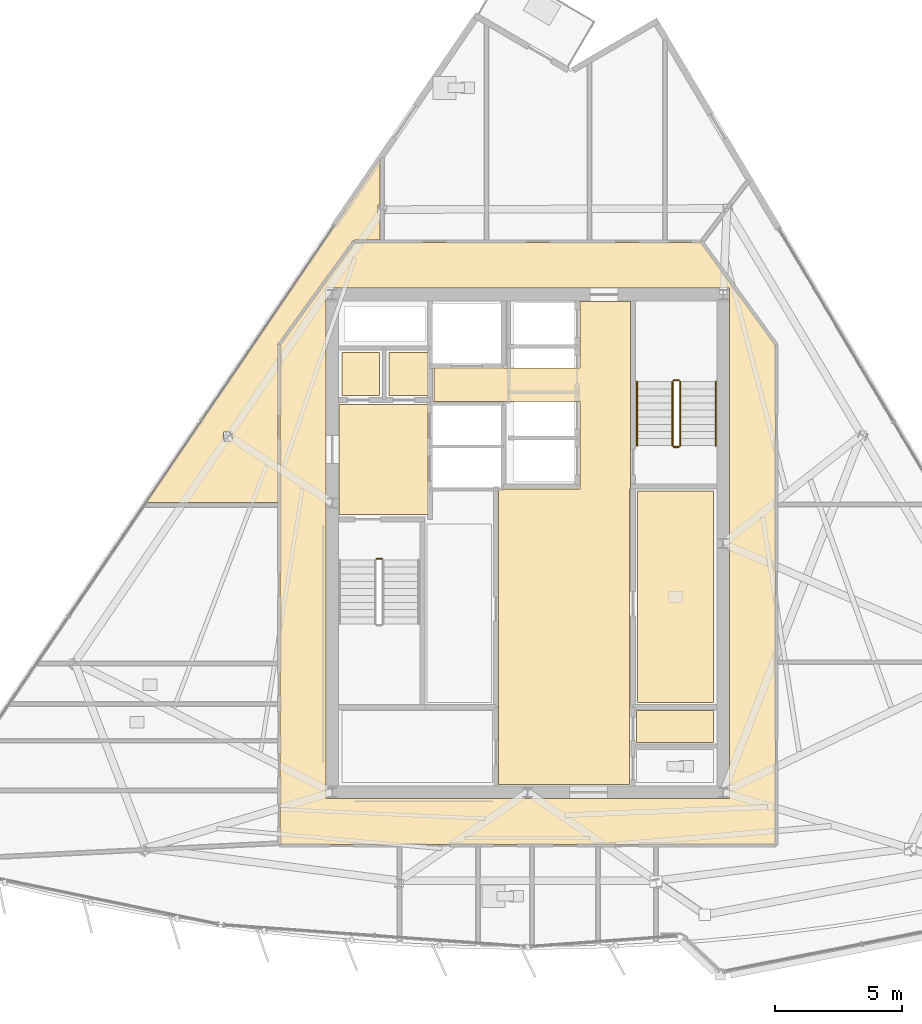
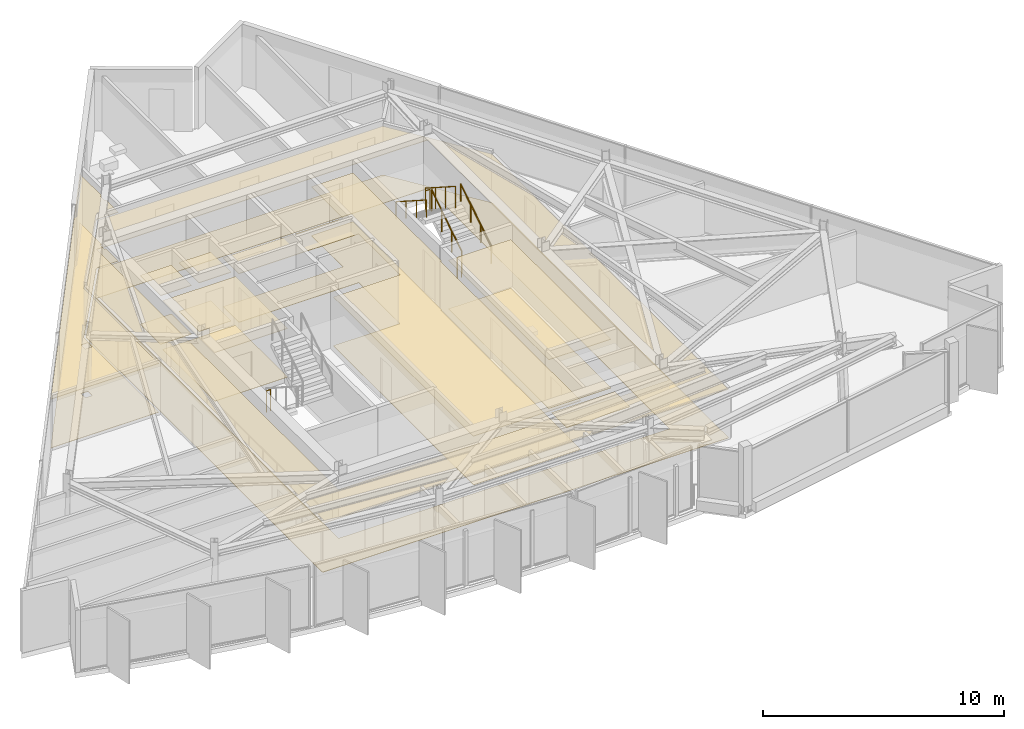
# One storey, part 11 of 13: 15 coverings, 7 railings.
"""IFC4 building model written with IfcOpenShell, lengths in metres."""

from ifc_helpers import new_model, si_unit, direction, frame, origin, origin_2d, place, context, subcontext, project, spatial, polyline, circle, outline, extrude, material, layer, layer_set, type_object, element, save


model = new_model("IFC4")

# Units and contexts
model_context = context("Model", 3, precision=1e-05, world=origin(), true_north=direction((0.0, 1.0)))
body_context = subcontext(model_context, "Body", "Model", "MODEL_VIEW")
ifc_project = project(units=[si_unit("LENGTHUNIT", "METRE"), si_unit("AREAUNIT", "SQUARE_METRE"), si_unit("VOLUMEUNIT", "CUBIC_METRE"), si_unit("PLANEANGLEUNIT", "RADIAN"), si_unit("MASSUNIT", "GRAM", prefix="KILO")], contexts=[model_context])

# Site, building, storey
site_placement = place(None, origin())
site = spatial("IfcSite", under=ifc_project, at=site_placement, CompositionType="ELEMENT")
building_placement = place(site_placement, origin())
building = spatial("IfcBuilding", under=site, at=building_placement, Name="Savorim Split Tower", CompositionType="ELEMENT")
storey_placement = place(building_placement, frame((0.0, 0.0, 290.39990234375)))
storey = spatial("IfcBuildingStorey", under=building, at=storey_placement, Name="L77", CompositionType="ELEMENT", Elevation=290.39990234375)

# Coverings
ifc_material_1 = material(Name="Mineral Fibre Acoustic Ceiling")
ifc_layer_1 = layer(ifc_material_1, 0.02490234375)
ifc_layer_set_1 = layer_set([ifc_layer_1], Name="COV-CEIL-25")
covering_type_1 = type_object("IfcCoveringType", Name="COV-CEIL-25", PredefinedType="CEILING", material=ifc_layer_set_1)
covering_1_placement = place(storey_placement, frame((0.0, 0.0, 2.47021484375)))
element("IfcCovering", 1, at=covering_1_placement, inside=storey, type_object=covering_type_1, Name="L77 Firefighting Lift Lobby Acoustic Ceiling", PredefinedType="CEILING", context=body_context, shape_type="SweptSolid", body=[
    extrude(outline(polyline([(-7.429931640625, 5.8701171875), (-7.429931640625, 1.530029296875), (-3.929931640625, 1.530029296875), (-3.929931640625, 5.8701171875), (-7.429931640625, 5.8701171875)])), origin(), (0.0, 0.0, 1.0), 0.02490234375),
])
covering_2_placement = place(storey_placement, frame((0.0, 0.0, 2.47021484375)))
element("IfcCovering", 2, at=covering_2_placement, inside=storey, type_object=covering_type_1, Name="L77 Electrical Riser Acoustic Ceiling", PredefinedType="CEILING", context=body_context, shape_type="SweptSolid", body=[
    extrude(outline(polyline([(-7.320068359375, 7.919921875), (-7.320068359375, 6.22998046875), (-5.830078125, 6.22998046875), (-5.830078125, 7.919921875), (-7.320068359375, 7.919921875)])), origin(), (0.0, 0.0, 1.0), 0.02490234375),
])
covering_3_placement = place(storey_placement, frame((0.0, 0.0, 2.47021484375)))
element("IfcCovering", 3, at=covering_3_placement, inside=storey, type_object=covering_type_1, Name="L77 Telecom Riser Acoustic Ceiling", PredefinedType="CEILING", context=body_context, shape_type="SweptSolid", body=[
    extrude(outline(polyline([(-5.469970703125, 7.919921875), (-5.469970703125, 6.22998046875), (-3.929931640625, 6.22998046875), (-3.929931640625, 7.919921875), (-5.469970703125, 7.919921875)])), origin(), (0.0, 0.0, 1.0), 0.02490234375),
])
covering_4_placement = place(storey_placement, frame((0.0, 0.0, 2.47021484375)))
element("IfcCovering", 4, at=covering_4_placement, inside=storey, type_object=covering_type_1, Name="L77 Lift Lobby Acoustic Ceiling", PredefinedType="CEILING", context=body_context, shape_type="SweptSolid", body=[
    extrude(outline(polyline([(2.050048828125, 2.550048828125), (-1.14990234375, 2.550048828125), (-1.14990234375, -9.10009765625), (4.0, -9.10009765625), (4.0, 2.550048828125), (4.050048828125, 2.550048828125), (4.050048828125, 5.97998046875), (4.050048828125, 7.300048828125), (4.050048828125, 9.929931640625), (2.050048828125, 9.929931640625), (2.050048828125, 7.300048828125), (-3.699951171875, 7.300048828125), (-3.699951171875, 5.97998046875), (2.050048828125, 5.97998046875), (2.050048828125, 2.550048828125)])), origin(), (0.0, 0.0, 1.0), 0.02490234375),
])
covering_5_placement = place(storey_placement, frame((0.0, 0.0, 2.47021484375)))
element("IfcCovering", 5, at=covering_5_placement, inside=storey, type_object=covering_type_1, Name="L77 Community Laundry Room Acoustic Ceiling", PredefinedType="CEILING", context=body_context, shape_type="SweptSolid", body=[
    extrude(outline(polyline([(4.330078125, 2.469970703125), (4.330078125, -5.8701171875), (7.320068359375, -5.8701171875), (7.320068359375, 2.469970703125), (4.330078125, 2.469970703125)])), origin(), (0.0, 0.0, 1.0), 0.02490234375),
])
covering_6_placement = place(storey_placement, frame((0.0, 0.0, 2.47021484375)))
element("IfcCovering", 6, at=covering_6_placement, inside=storey, type_object=covering_type_1, Name="L77 Corridor Acoustic Ceiling", PredefinedType="CEILING", context=body_context, shape_type="SweptSolid", body=[
    extrude(outline(polyline([(6.809326171875, 12.2490234375), (6.8046875, 12.249755859375), (6.800048828125, 12.25), (-6.800048828125, 12.25), (-6.8046875, 12.249755859375), (-6.809326171875, 12.2490234375), (-6.81396484375, 12.248046875), (-6.818359375, 12.24658203125), (-6.82275390625, 12.244384765625), (-6.826904296875, 12.2421875), (-6.830810546875, 12.239501953125), (-6.834228515625, 12.236328125), (-6.83740234375, 12.23291015625), (-6.840576171875, 12.229248046875), (-9.740478515625, 8.229248046875), (-9.743408203125, 8.22509765625), (-9.74560546875, 8.22021484375), (-9.74755859375, 8.21533203125), (-9.748779296875, 8.21044921875), (-9.749755859375, 8.205078125), (-9.75, 8.199951171875), (-9.75, -11.39990234375), (-9.749755859375, -11.40478515625), (-9.7490234375, -11.409912109375), (-9.747802734375, -11.41455078125), (-9.74609375, -11.419189453125), (-9.744140625, -11.423583984375), (-9.74169921875, -11.427734375), (-9.73876953125, -11.431640625), (-9.7353515625, -11.435302734375), (-9.731689453125, -11.438720703125), (-9.727783203125, -11.441650390625), (-9.7236328125, -11.444091796875), (-9.718994140625, -11.4462890625), (-9.714599609375, -11.44775390625), (-9.709716796875, -11.448974609375), (-9.704833984375, -11.44970703125), (-9.699951171875, -11.449951171875), (9.699951171875, -11.449951171875), (9.704833984375, -11.44970703125), (9.709716796875, -11.448974609375), (9.714599609375, -11.44775390625), (9.718994140625, -11.4462890625), (9.7236328125, -11.444091796875), (9.727783203125, -11.441650390625), (9.731689453125, -11.438720703125), (9.7353515625, -11.435302734375), (9.73876953125, -11.431640625), (9.74169921875, -11.427734375), (9.744140625, -11.423583984375), (9.74609375, -11.419189453125), (9.747802734375, -11.41455078125), (9.7490234375, -11.409912109375), (9.749755859375, -11.40478515625), (9.75, -11.39990234375), (9.75, 8.199951171875), (9.749755859375, 8.205078125), (9.748779296875, 8.21044921875), (9.74755859375, 8.21533203125), (9.74560546875, 8.22021484375), (9.743408203125, 8.22509765625), (9.740478515625, 8.229248046875), (6.840576171875, 12.229248046875), (6.83740234375, 12.23291015625), (6.834228515625, 12.236328125), (6.830810546875, 12.239501953125), (6.826904296875, 12.2421875), (6.82275390625, 12.244384765625), (6.818359375, 12.24658203125), (6.81396484375, 12.248046875), (6.809326171875, 12.2490234375)]), holes=[polyline([(-7.949951171875, 10.449951171875), (-7.949951171875, -9.64990234375), (7.949951171875, -9.64990234375), (7.949951171875, 10.449951171875), (-7.949951171875, 10.449951171875)])]), origin(), (0.0, 0.0, 1.0), 0.02490234375),
])
covering_7_placement = place(storey_placement, frame((0.0, 0.0, 2.47021484375)))
element("IfcCovering", 7, at=covering_7_placement, inside=storey, type_object=covering_type_1, Name="L77 Maker Workshop Acoustic Ceiling", PredefinedType="CEILING", context=body_context, shape_type="SweptSolid", body=[
    extrude(outline(polyline([(-6.813232421875, 12.33935546875), (-6.800048828125, 12.340087890625), (-5.821044921875, 12.340087890625), (-5.821044921875, 13.371826171875), (-5.890625, 13.371826171875), (-5.890625, 13.7216796875), (-5.821044921875, 13.7216796875), (-5.821044921875, 15.5498046875), (-15.034912109375, 2.005615234375), (-9.840087890625, 2.005615234375), (-9.840087890625, 8.199951171875), (-9.839111328125, 8.214599609375), (-9.8369140625, 8.22900390625), (-9.833251953125, 8.2431640625), (-9.827880859375, 8.2568359375), (-9.8212890625, 8.27001953125), (-9.813232421875, 8.2822265625), (-6.913330078125, 12.2822265625), (-6.905029296875, 12.29248046875), (-6.89599609375, 12.302001953125), (-6.885986328125, 12.310546875), (-6.875, 12.318115234375), (-6.863525390625, 12.32470703125), (-6.8515625, 12.330078125), (-6.839111328125, 12.33447265625), (-6.826416015625, 12.33740234375), (-6.813232421875, 12.33935546875)]), holes=[polyline([(-11.97021484375, 4.78466796875), (-11.97021484375, 4.434814453125), (-11.641357421875, 4.434814453125), (-11.641357421875, 4.78466796875), (-11.97021484375, 4.78466796875)])]), origin(), (0.0, 0.0, 1.0), 0.02490234375),
])
ifc_material_2 = material(Name="Porcelain Stoneware Flooring", Category="masonry")
ifc_layer_2 = layer(ifc_material_2, 0.02001953125)
ifc_layer_set_2 = layer_set([ifc_layer_2], Name="COV-FLOR-20")
covering_type_2 = type_object("IfcCoveringType", Name="COV-FLOR-20", PredefinedType="FLOORING", material=ifc_layer_set_2)
covering_8_placement = place(storey_placement, origin())
element("IfcCovering", 8, at=covering_8_placement, inside=storey, type_object=covering_type_2, Name="L77 Firefighting Lift Lobby Porcelain Flooring", PredefinedType="FLOORING", context=body_context, shape_type="SweptSolid", body=[
    extrude(outline(polyline([(-7.429931640625, 5.8701171875), (-7.429931640625, 1.530029296875), (-3.929931640625, 1.530029296875), (-3.929931640625, 5.8701171875), (-7.429931640625, 5.8701171875)])), origin(), (0.0, 0.0, 1.0), 0.02001953125),
])
covering_9_placement = place(storey_placement, origin())
element("IfcCovering", 9, at=covering_9_placement, inside=storey, type_object=covering_type_2, Name="L77 Electrical Riser Porcelain Flooring", PredefinedType="FLOORING", context=body_context, shape_type="SweptSolid", body=[
    extrude(outline(polyline([(-7.320068359375, 7.919921875), (-7.320068359375, 6.22998046875), (-5.830078125, 6.22998046875), (-5.830078125, 7.919921875), (-7.320068359375, 7.919921875)])), origin(), (0.0, 0.0, 1.0), 0.02001953125),
])
covering_10_placement = place(storey_placement, origin())
element("IfcCovering", 10, at=covering_10_placement, inside=storey, type_object=covering_type_2, Name="L77 Telecom Riser Porcelain Flooring", PredefinedType="FLOORING", context=body_context, shape_type="SweptSolid", body=[
    extrude(outline(polyline([(-5.469970703125, 7.919921875), (-5.469970703125, 6.22998046875), (-3.929931640625, 6.22998046875), (-3.929931640625, 7.919921875), (-5.469970703125, 7.919921875)])), origin(), (0.0, 0.0, 1.0), 0.02001953125),
])
covering_11_placement = place(storey_placement, origin())
element("IfcCovering", 11, at=covering_11_placement, inside=storey, type_object=covering_type_2, Name="L77 Lift Lobby Porcelain Flooring", PredefinedType="FLOORING", context=body_context, shape_type="SweptSolid", body=[
    extrude(outline(polyline([(2.050048828125, 2.550048828125), (-1.14990234375, 2.550048828125), (-1.14990234375, -9.10009765625), (4.0, -9.10009765625), (4.0, 2.550048828125), (4.050048828125, 2.550048828125), (4.050048828125, 5.97998046875), (4.050048828125, 7.300048828125), (4.050048828125, 9.929931640625), (2.050048828125, 9.929931640625), (2.050048828125, 7.300048828125), (-3.699951171875, 7.300048828125), (-3.699951171875, 5.97998046875), (2.050048828125, 5.97998046875), (2.050048828125, 2.550048828125)])), origin(), (0.0, 0.0, 1.0), 0.02001953125),
])
covering_12_placement = place(storey_placement, origin())
element("IfcCovering", 12, at=covering_12_placement, inside=storey, type_object=covering_type_2, Name="L77 Community Laundry Room Porcelain Flooring", PredefinedType="FLOORING", context=body_context, shape_type="SweptSolid", body=[
    extrude(outline(polyline([(4.330078125, 2.469970703125), (4.330078125, -5.8701171875), (7.320068359375, -5.8701171875), (7.320068359375, 2.469970703125), (4.330078125, 2.469970703125)])), origin(), (0.0, 0.0, 1.0), 0.02001953125),
])
covering_13_placement = place(storey_placement, origin())
element("IfcCovering", 13, at=covering_13_placement, inside=storey, type_object=covering_type_2, Name="L77 Cleaning Store Porcelain Flooring", PredefinedType="FLOORING", context=body_context, shape_type="SweptSolid", body=[
    extrude(outline(polyline([(4.280029296875, -6.179931640625), (4.280029296875, -7.43994140625), (7.320068359375, -7.43994140625), (7.320068359375, -6.179931640625), (4.280029296875, -6.179931640625)])), origin(), (0.0, 0.0, 1.0), 0.02001953125),
])
covering_14_placement = place(storey_placement, origin())
element("IfcCovering", 14, at=covering_14_placement, inside=storey, type_object=covering_type_2, Name="L77 Corridor Porcelain Flooring", PredefinedType="FLOORING", context=body_context, shape_type="SweptSolid", body=[
    extrude(outline(polyline([(6.809326171875, 12.2490234375), (6.8046875, 12.249755859375), (6.800048828125, 12.25), (-6.800048828125, 12.25), (-6.8046875, 12.249755859375), (-6.809326171875, 12.2490234375), (-6.81396484375, 12.248046875), (-6.818359375, 12.24658203125), (-6.82275390625, 12.244384765625), (-6.826904296875, 12.2421875), (-6.830810546875, 12.239501953125), (-6.834228515625, 12.236328125), (-6.83740234375, 12.23291015625), (-6.840576171875, 12.229248046875), (-9.740478515625, 8.229248046875), (-9.743408203125, 8.22509765625), (-9.74560546875, 8.22021484375), (-9.74755859375, 8.21533203125), (-9.748779296875, 8.21044921875), (-9.749755859375, 8.205078125), (-9.75, 8.199951171875), (-9.75, -11.39990234375), (-9.749755859375, -11.40478515625), (-9.7490234375, -11.409912109375), (-9.747802734375, -11.41455078125), (-9.74609375, -11.419189453125), (-9.744140625, -11.423583984375), (-9.74169921875, -11.427734375), (-9.73876953125, -11.431640625), (-9.7353515625, -11.435302734375), (-9.731689453125, -11.438720703125), (-9.727783203125, -11.441650390625), (-9.7236328125, -11.444091796875), (-9.718994140625, -11.4462890625), (-9.714599609375, -11.44775390625), (-9.709716796875, -11.448974609375), (-9.704833984375, -11.44970703125), (-9.699951171875, -11.449951171875), (9.699951171875, -11.449951171875), (9.704833984375, -11.44970703125), (9.709716796875, -11.448974609375), (9.714599609375, -11.44775390625), (9.718994140625, -11.4462890625), (9.7236328125, -11.444091796875), (9.727783203125, -11.441650390625), (9.731689453125, -11.438720703125), (9.7353515625, -11.435302734375), (9.73876953125, -11.431640625), (9.74169921875, -11.427734375), (9.744140625, -11.423583984375), (9.74609375, -11.419189453125), (9.747802734375, -11.41455078125), (9.7490234375, -11.409912109375), (9.749755859375, -11.40478515625), (9.75, -11.39990234375), (9.75, 8.199951171875), (9.749755859375, 8.205078125), (9.748779296875, 8.21044921875), (9.74755859375, 8.21533203125), (9.74560546875, 8.22021484375), (9.743408203125, 8.22509765625), (9.740478515625, 8.229248046875), (6.840576171875, 12.229248046875), (6.83740234375, 12.23291015625), (6.834228515625, 12.236328125), (6.830810546875, 12.239501953125), (6.826904296875, 12.2421875), (6.82275390625, 12.244384765625), (6.818359375, 12.24658203125), (6.81396484375, 12.248046875), (6.809326171875, 12.2490234375)]), holes=[polyline([(-7.949951171875, 10.449951171875), (-7.949951171875, -9.64990234375), (7.949951171875, -9.64990234375), (7.949951171875, 10.449951171875), (-7.949951171875, 10.449951171875)])]), origin(), (0.0, 0.0, 1.0), 0.02001953125),
])
covering_15_placement = place(storey_placement, origin())
element("IfcCovering", 15, at=covering_15_placement, inside=storey, type_object=covering_type_2, Name="L77 Maker Workshop Porcelain Flooring", PredefinedType="FLOORING", context=body_context, shape_type="SweptSolid", body=[
    extrude(outline(polyline([(-6.813232421875, 12.33935546875), (-6.800048828125, 12.340087890625), (-5.821044921875, 12.340087890625), (-5.821044921875, 13.371826171875), (-5.890625, 13.371826171875), (-5.890625, 13.7216796875), (-5.821044921875, 13.7216796875), (-5.821044921875, 15.5498046875), (-15.034912109375, 2.005615234375), (-9.840087890625, 2.005615234375), (-9.840087890625, 8.199951171875), (-9.839111328125, 8.214599609375), (-9.8369140625, 8.22900390625), (-9.833251953125, 8.2431640625), (-9.827880859375, 8.2568359375), (-9.8212890625, 8.27001953125), (-9.813232421875, 8.2822265625), (-6.913330078125, 12.2822265625), (-6.905029296875, 12.29248046875), (-6.89599609375, 12.302001953125), (-6.885986328125, 12.310546875), (-6.875, 12.318115234375), (-6.863525390625, 12.32470703125), (-6.8515625, 12.330078125), (-6.839111328125, 12.33447265625), (-6.826416015625, 12.33740234375), (-6.813232421875, 12.33935546875)]), holes=[polyline([(-11.97021484375, 4.78466796875), (-11.97021484375, 4.434814453125), (-11.641357421875, 4.434814453125), (-11.641357421875, 4.78466796875), (-11.97021484375, 4.78466796875)])]), origin(), (0.0, 0.0, 1.0), 0.02001953125),
])

# Railings
ifc_material_3 = material(Name="Galvanised Painted Steel Balustrade", Category="steel")
railing_type_1 = type_object("IfcRailingType", Name="RLG-HR-900", PredefinedType="HANDRAIL", material=ifc_material_3)
railing_1_placement = place(storey_placement, frame((7.39990234375, 4.25, 0.18017578125)))
element("IfcRailing", 16, at=railing_1_placement, inside=storey, type_object=railing_type_1, Name="L77 ST-2 stair handrail 1", PredefinedType="HANDRAIL", context=body_context, shape_type="SweptSolid", body=[
    extrude(circle(Radius=0.02392578125, at=origin_2d()), frame((0.0, 0.0, 0.8759765625), z_axis=(0.0, 0.841199657755, 0.540724639528), x_axis=(-1.0, 0.0, 0.0)), (0.0, 0.0, 1.0), 2.995849609375),
    extrude(circle(Radius=0.02099609375, at=origin_2d()), origin(), (0.0, 0.0, 1.0), 0.851806640625),
    extrude(circle(Radius=0.02099609375, at=origin_2d()), frame((0.0, 0.840087890625, 0.5400390625)), (0.0, 0.0, 1.0), 0.851806640625),
    extrude(circle(Radius=0.02099609375, at=origin_2d()), frame((0.0, 1.679931640625, 1.079833984375)), (0.0, 0.0, 1.0), 0.851806640625),
    extrude(circle(Radius=0.02099609375, at=origin_2d()), frame((0.0, 2.52001953125, 1.619873046875)), (0.0, 0.0, 1.0), 0.851806640625),
])
railing_2_placement = place(storey_placement, frame((4.300048828125, 6.77001953125, 1.97998046875)))
element("IfcRailing", 17, at=railing_2_placement, inside=storey, type_object=railing_type_1, Name="L77 ST-2 stair handrail 2", PredefinedType="HANDRAIL", context=body_context, shape_type="SweptSolid", body=[
    extrude(circle(Radius=0.02392578125, at=origin_2d()), frame((0.0, 0.0, 0.8759765625), z_axis=(0.0, -0.841162588446, 0.540782303519), x_axis=(1.0, 0.0, 0.0)), (0.0, 0.0, 1.0), 2.995849609375),
    extrude(circle(Radius=0.02099609375, at=origin_2d()), origin(), (0.0, 0.0, 1.0), 0.851806640625),
    extrude(circle(Radius=0.02099609375, at=origin_2d()), frame((0.0, -0.840087890625, 0.5400390625)), (0.0, 0.0, 1.0), 0.851806640625),
    extrude(circle(Radius=0.02099609375, at=origin_2d()), frame((0.0, -1.679931640625, 1.080078125)), (0.0, 0.0, 1.0), 0.851806640625),
    extrude(circle(Radius=0.02099609375, at=origin_2d()), frame((0.0, -2.52001953125, 1.6201171875)), (0.0, 0.0, 1.0), 0.851806640625),
])
railing_type_2 = type_object("IfcRailingType", Name="RLG-STG-1100", PredefinedType="BALUSTRADE", material=ifc_material_3)
railing_3_placement = place(storey_placement, frame((-5.949951171875, -0.199951171875, 0.0)))
element("IfcRailing", 18, at=railing_3_placement, inside=storey, type_object=railing_type_2, Name="L77 ST-1 stair guard 4", PredefinedType="BALUSTRADE", context=body_context, shape_type="SweptSolid", body=[
    extrude(circle(Radius=0.02392578125, at=origin_2d()), frame((0.0, 0.0, 1.076171875), z_axis=(1.0, 0.0, 0.0), x_axis=(0.0, 1.0, 0.0)), (0.0, 0.0, 1.0), 0.199951171875),
    extrude(circle(Radius=0.02099609375, at=origin_2d()), origin(), (0.0, 0.0, 1.0), 1.052001953125),
    extrude(circle(Radius=0.02099609375, at=origin_2d()), frame((0.199951171875, 0.0, 0.0)), (0.0, 0.0, 1.0), 1.052001953125),
])
railing_4_placement = place(storey_placement, frame((6.0, 4.25, 0.18017578125)))
element("IfcRailing", 19, at=railing_4_placement, inside=storey, type_object=railing_type_2, Name="L77 ST-2 stair guard 1", PredefinedType="BALUSTRADE", context=body_context, shape_type="SweptSolid", body=[
    extrude(circle(Radius=0.02392578125, at=origin_2d()), frame((0.0, 0.0, 1.076171875), z_axis=(0.0, 0.841199657755, 0.540724639528), x_axis=(-1.0, 0.0, 0.0)), (0.0, 0.0, 1.0), 2.995849609375),
    extrude(circle(Radius=0.02099609375, at=origin_2d()), origin(), (0.0, 0.0, 1.0), 1.052001953125),
    extrude(circle(Radius=0.02099609375, at=origin_2d()), frame((0.0, 0.840087890625, 0.5400390625)), (0.0, 0.0, 1.0), 1.052001953125),
    extrude(circle(Radius=0.02099609375, at=origin_2d()), frame((0.0, 1.679931640625, 1.079833984375)), (0.0, 0.0, 1.0), 1.052001953125),
    extrude(circle(Radius=0.02099609375, at=origin_2d()), frame((0.0, 2.52001953125, 1.619873046875)), (0.0, 0.0, 1.0), 1.052001953125),
])
railing_5_placement = place(storey_placement, frame((5.949951171875, 6.820068359375, 1.800048828125)))
element("IfcRailing", 20, at=railing_5_placement, inside=storey, type_object=railing_type_2, Name="L77 ST-2 stair guard 2", PredefinedType="BALUSTRADE", context=body_context, shape_type="SweptSolid", body=[
    extrude(circle(Radius=0.02392578125, at=origin_2d()), frame((0.0, 0.0, 1.076171875), z_axis=(-1.0, 0.0, 0.0), x_axis=(0.0, -1.0, 0.0)), (0.0, 0.0, 1.0), 0.199951171875),
    extrude(circle(Radius=0.02099609375, at=origin_2d()), origin(), (0.0, 0.0, 1.0), 1.052001953125),
    extrude(circle(Radius=0.02099609375, at=origin_2d()), frame((-0.199951171875, 0.0, 0.0)), (0.0, 0.0, 1.0), 1.052001953125),
])
railing_6_placement = place(storey_placement, frame((5.699951171875, 6.77001953125, 1.97998046875)))
element("IfcRailing", 21, at=railing_6_placement, inside=storey, type_object=railing_type_2, Name="L77 ST-2 stair guard 3", PredefinedType="BALUSTRADE", context=body_context, shape_type="SweptSolid", body=[
    extrude(circle(Radius=0.02392578125, at=origin_2d()), frame((0.0, 0.0, 1.076171875), z_axis=(0.0, -0.841162588446, 0.540782303519), x_axis=(1.0, 0.0, 0.0)), (0.0, 0.0, 1.0), 2.995849609375),
    extrude(circle(Radius=0.02099609375, at=origin_2d()), origin(), (0.0, 0.0, 1.0), 1.052001953125),
    extrude(circle(Radius=0.02099609375, at=origin_2d()), frame((0.0, -0.840087890625, 0.5400390625)), (0.0, 0.0, 1.0), 1.052001953125),
    extrude(circle(Radius=0.02099609375, at=origin_2d()), frame((0.0, -1.679931640625, 1.080078125)), (0.0, 0.0, 1.0), 1.052001953125),
    extrude(circle(Radius=0.02099609375, at=origin_2d()), frame((0.0, -2.52001953125, 1.6201171875)), (0.0, 0.0, 1.0), 1.052001953125),
])
railing_7_placement = place(storey_placement, frame((5.949951171875, 4.199951171875, 0.0)))
element("IfcRailing", 22, at=railing_7_placement, inside=storey, type_object=railing_type_2, Name="L77 ST-2 stair guard 4", PredefinedType="BALUSTRADE", context=body_context, shape_type="SweptSolid", body=[
    extrude(circle(Radius=0.02392578125, at=origin_2d()), frame((0.0, 0.0, 1.076171875), z_axis=(-1.0, 0.0, 0.0), x_axis=(0.0, -1.0, 0.0)), (0.0, 0.0, 1.0), 0.199951171875),
    extrude(circle(Radius=0.02099609375, at=origin_2d()), origin(), (0.0, 0.0, 1.0), 1.052001953125),
    extrude(circle(Radius=0.02099609375, at=origin_2d()), frame((-0.199951171875, 0.0, 0.0)), (0.0, 0.0, 1.0), 1.052001953125),
])

save(model, "model.ifc")
